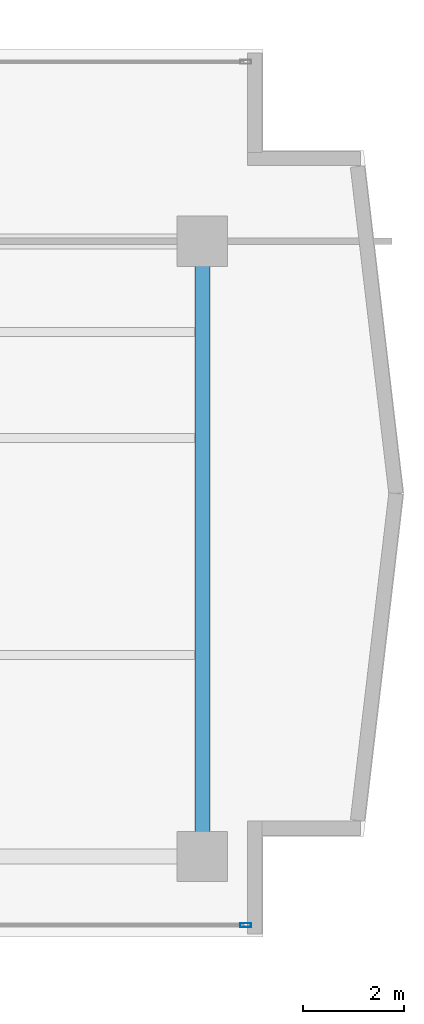
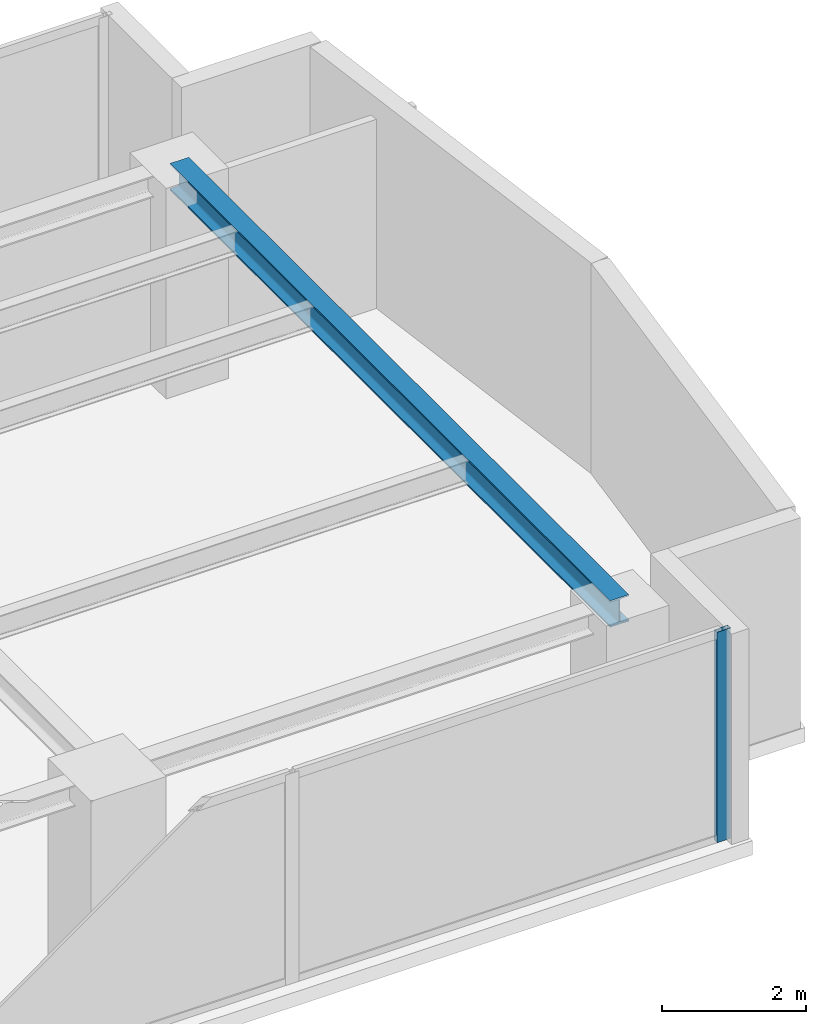
# One storey, part 12 of 24: 1 beam, 1 member, 1 element without a shape of its own.
"""IFC4 building model written with IfcOpenShell, lengths in metres."""

from ifc_helpers import new_model, si_unit, direction, frame, origin, origin_with_axes, origin_2d, place, context, subcontext, project, spatial, hollow_rectangle, i_section, extrude, source, transform, mapped, material, layer, layer_set, material_profile, profile_set, type_object, element, aggregate, save


model = new_model("IFC4")

# Units and contexts
model_context = context("Model", 3, precision=1e-05, world=origin(), true_north=direction((0.0, 1.0)))
body_context = subcontext(model_context, "Body", "Model", "MODEL_VIEW")
ifc_project = project(units=[si_unit("LENGTHUNIT", "METRE"), si_unit("AREAUNIT", "SQUARE_METRE"), si_unit("VOLUMEUNIT", "CUBIC_METRE"), si_unit("PLANEANGLEUNIT", "RADIAN"), si_unit("MASSUNIT", "GRAM", prefix="KILO")], contexts=[model_context])

# Site, building, storey
site_placement = place(None, origin())
site = spatial("IfcSite", under=ifc_project, at=site_placement, CompositionType="ELEMENT")
building_placement = place(site_placement, origin())
building = spatial("IfcBuilding", under=site, at=building_placement, Name="Kolvaren Waterfront Exchange", CompositionType="ELEMENT")
storey_placement = place(building_placement, frame((0.0, 0.0, 172.800048828125)))
storey = spatial("IfcBuildingStorey", under=building, at=storey_placement, Name="L44", CompositionType="ELEMENT", Elevation=172.800048828125)

# Beam
ifc_material_1 = material(Name="Steel S355", Category="steel")
ifc_material_profile_1 = material_profile(ifc_material_1, i_section(OverallWidth=0.300048828125, OverallDepth=0.449951171875, WebThickness=0.013916015625, FlangeThickness=0.02587890625, FilletRadius=0.027099609375, at=origin_2d()), Name="HEB450")
ifc_profile_set_1 = profile_set([ifc_material_profile_1], Name="Steel S355")
beam_type = type_object("IfcBeamType", Name="STR-BM-HEB450", PredefinedType="BEAM", material=ifc_profile_set_1)
beam_placement = place(storey_placement, frame((53.800048828125, 5.199951171875, 3.3349609375), z_axis=(0.0, 1.0, 0.0), x_axis=(-1.0, 0.0, 0.0)))
element("IfcBeam", 1, at=beam_placement, inside=storey, type_object=beam_type, Name="L44 east-arm transverse girder X53", PredefinedType="BEAM", context=body_context, shape_type="SweptSolid", body=[
    extrude(i_section(OverallWidth=0.300048828125, OverallDepth=0.449951171875, WebThickness=0.013916015625, FlangeThickness=0.02587890625, FilletRadius=0.027099609375, at=origin_2d()), origin(), (0.0, 0.0, 1.0), 12.199951171875),
])

# Curtain wall, member
ifc_material_2 = material(Name="Anodised bronze aluminium 6063-T6", Category="aluminium")
ifc_layer = layer(ifc_material_2, 0.219970703125, Name="Anodised bronze aluminium 6063-T6")
ifc_layer_set = layer_set([ifc_layer], Name="Anodised bronze aluminium 6063-T6")
curtain_wall_type = type_object("IfcCurtainWallType", Name="ARC-CW-SYS1", PredefinedType="USERDEFINED", material=ifc_layer_set)
curtain_wall_placement = place(storey_placement, origin())
curtain_wall = element("IfcCurtainWall", 2, at=curtain_wall_placement, inside=storey, type_object=curtain_wall_type, Name="L44 stick curtain wall CW1 (CW-L44-S)", ObjectType="STICK CURTAIN WALL", PredefinedType="USERDEFINED")
ifc_material_3 = material(Name="Anodised aluminium 6063-T6", Category="aluminium")
ifc_material_profile_2 = material_profile(ifc_material_3, hollow_rectangle(XDim=0.080078125, YDim=0.219970703125, WallThickness=0.0048828125, at=origin_2d()), Name="ALU-MUL-220x80x5")
ifc_profile_set_2 = profile_set([ifc_material_profile_2], Name="Anodised aluminium 6063-T6")
member_type = type_object("IfcMemberType", Name="ARC-CWM-220", PredefinedType="MULLION", material=ifc_profile_set_2)
shared_shape = source(origin_with_axes(), body_context, "Body", "SweptSolid", [
    extrude(hollow_rectangle(XDim=0.080078125, YDim=0.219970703125, WallThickness=0.0048828125, at=origin_2d()), origin(), (0.0, 0.0, 1.0), 3.56005859375),
])
member_placement = place(storey_placement, frame((54.659912109375, 3.840087890625, 0.0), z_axis=(0.0, 0.0, 1.0), x_axis=(0.0, 1.0, 0.0)))
member = element("IfcMember", 3, at=member_placement, type_object=member_type, Name="CW1 mullion 8", PredefinedType="MULLION", context=body_context, shape_type="MappedRepresentation", body=[
    mapped(shared_shape, transform((0.0, 0.0, 0.0), x_axis=(1.0, 0.0, 0.0), y_axis=(0.0, 1.0, 0.0), z_axis=(0.0, 0.0, 1.0), scale=1.0)),
])
aggregate(curtain_wall, [member])

save(model, "model.ifc")
